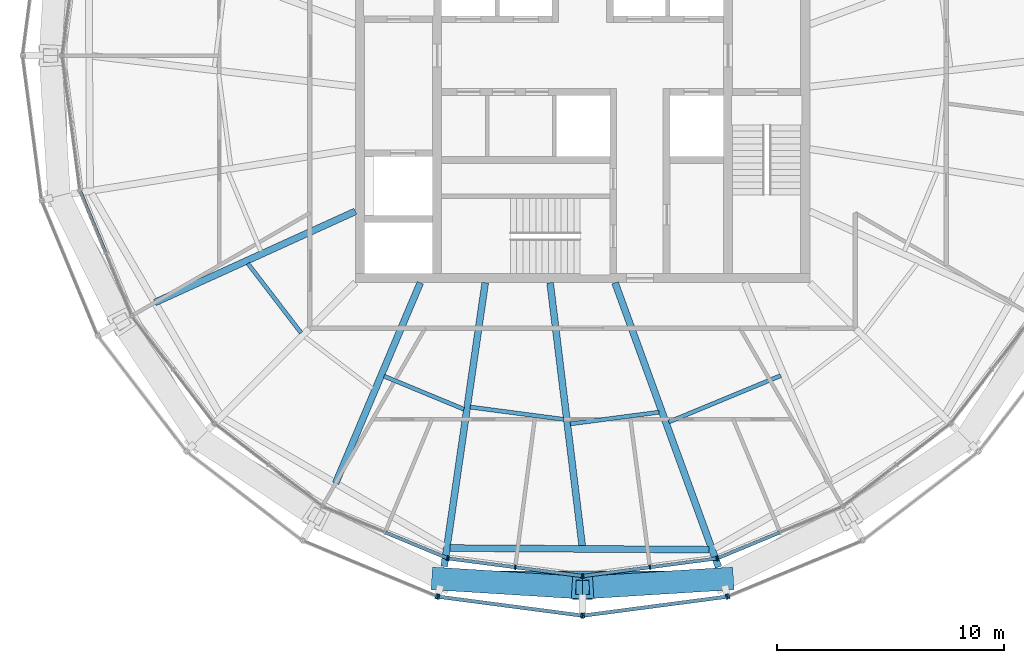
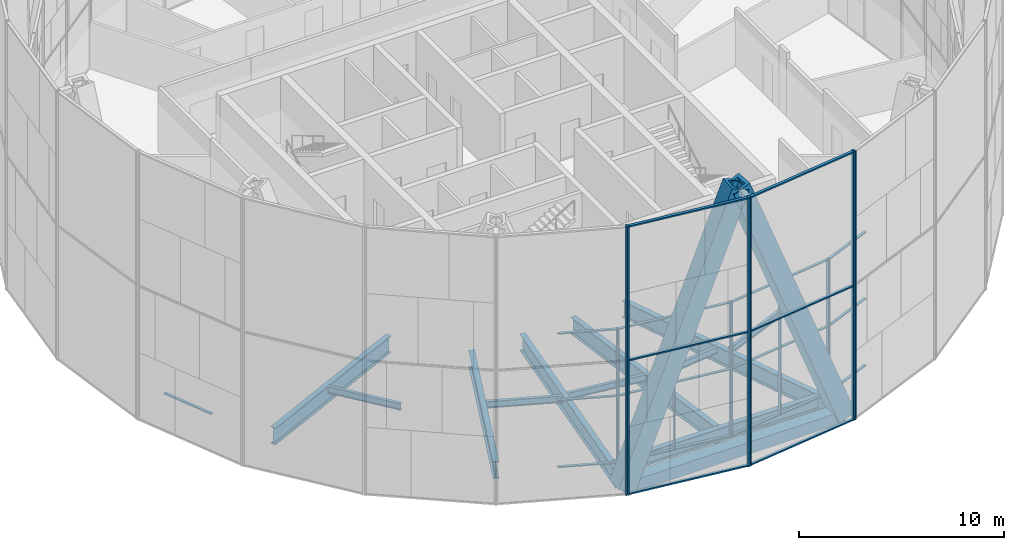
# One storey, part 2 of 23: 41 members, 12 beams, 9 elements without a shape of their own.
"""IFC4 building model written with IfcOpenShell, lengths in metres."""

from ifc_helpers import new_model, si_unit, direction, frame, origin, origin_2d, place, context, subcontext, project, spatial, rectangle, hollow_rectangle, i_section, extrude, material, material_profile, profile_set, type_object, element, aggregate, save


model = new_model("IFC4")

# Units and contexts
model_context = context("Model", 3, precision=1e-05, world=origin(), true_north=direction((0.0, 1.0)))
body_context = subcontext(model_context, "Body", "Model", "MODEL_VIEW")
ifc_project = project(units=[si_unit("LENGTHUNIT", "METRE"), si_unit("AREAUNIT", "SQUARE_METRE"), si_unit("VOLUMEUNIT", "CUBIC_METRE"), si_unit("PLANEANGLEUNIT", "RADIAN"), si_unit("MASSUNIT", "GRAM", prefix="KILO")], contexts=[model_context])

# Site, building, storey
site_placement = place(None, origin())
site = spatial("IfcSite", under=ifc_project, at=site_placement, CompositionType="ELEMENT")
building_placement = place(site_placement, origin())
building = spatial("IfcBuilding", under=site, at=building_placement, Name="Golbaran Civic Tower", CompositionType="ELEMENT")
storey_placement = place(building_placement, frame((0.0, 0.0, 232.0)))
storey = spatial("IfcBuildingStorey", under=building, at=storey_placement, Name="L56", CompositionType="ELEMENT", Elevation=232.0)

# Members
ifc_material_1 = material(Name="Steel S355", Category="steel")
ifc_material_profile_1 = material_profile(ifc_material_1, hollow_rectangle(XDim=1.0, YDim=1.0, WallThickness=0.179931640625, at=origin_2d()), Name="BOX 1000x1000x180")
ifc_profile_set_1 = profile_set([ifc_material_profile_1], Name="Steel S355")
member_type_1 = type_object("IfcMemberType", Name="DIAGRID DIAGONAL BOX 1000x1000x180", PredefinedType="BRACE", material=ifc_profile_set_1)
for number, where, z_axis, x_axis, name in (
    (1, (-6.174072265625, -23.042236328125, -0.7099609375), (0.359917511497, -0.022202195339, 0.932719919075), (0.061569865582, 0.998102776097, 0.0), "Diagonal D13-08R L56-L60"),
    (2, (6.174072265625, -23.042236328125, -0.7099609375), (-0.359917511497, -0.022202195339, 0.932719919075), (0.061569865582, -0.998102776097, 0.0), "Diagonal D13-09L L56-L60"),
):
    element("IfcMember", number, at=place(storey_placement, frame(where, z_axis=z_axis, x_axis=x_axis)), inside=storey, type_object=member_type_1, Name=name, PredefinedType="BRACE", context=body_context, shape_type="SweptSolid", body=[
        extrude(hollow_rectangle(XDim=1.0, YDim=1.0, WallThickness=0.179931640625, at=origin_2d()), origin(), (0.0, 0.0, 1.0), 17.154052734375),
    ])

# Beams
ifc_material_profile_2 = material_profile(ifc_material_1, hollow_rectangle(XDim=0.699951171875, YDim=0.699951171875, WallThickness=0.080078125, at=origin_2d()), Name="BOX 700x700x80")
ifc_profile_set_2 = profile_set([ifc_material_profile_2], Name="Steel S355")
beam_type_1 = type_object("IfcBeamType", Name="DIAGRID RING TIE BOX 700x700x80", PredefinedType="BEAM", material=ifc_profile_set_2)
beam_1_placement = place(storey_placement, frame((-6.174072265625, -23.042236328125, -0.7099609375), z_axis=(1.0, 0.0, 0.0), x_axis=(0.0, 1.0, 0.0)))
element("IfcBeam", 3, at=beam_1_placement, inside=storey, type_object=beam_type_1, Name="Ring tie 255.00 L56", PredefinedType="BEAM", context=body_context, shape_type="SweptSolid", body=[
    extrude(hollow_rectangle(XDim=0.699951171875, YDim=0.699951171875, WallThickness=0.080078125, at=origin_2d()), origin(), (0.0, 0.0, 1.0), 12.34814453125),
])
ifc_material_profile_3 = material_profile(ifc_material_1, i_section(OverallWidth=0.300048828125, OverallDepth=0.800048828125, WebThickness=0.017578125, FlangeThickness=0.032958984375, FilletRadius=0.030029296875, at=origin_2d()), Name="HEB 800")
ifc_profile_set_3 = profile_set([ifc_material_profile_3], Name="Steel S355")
beam_type_2 = type_object("IfcBeamType", Name="EDGE BEAM HEB 800", PredefinedType="BEAM", material=ifc_profile_set_3)
beam_2_placement = place(storey_placement, frame((-5.845458984375, -21.678955078125, -0.60009765625), z_axis=(0.999980352991, -0.006268463307, 0.0), x_axis=(0.006268463307, 0.999980352991, 0.0)))
element("IfcBeam", 4, at=beam_2_placement, inside=storey, type_object=beam_type_2, Name="Edge beam 255.00 L56", PredefinedType="BEAM", context=body_context, shape_type="SweptSolid", body=[
    extrude(i_section(OverallWidth=0.300048828125, OverallDepth=0.800048828125, WebThickness=0.017578125, FlangeThickness=0.032958984375, FilletRadius=0.030029296875, at=origin_2d()), origin(), (0.0, 0.0, 1.0), 11.41162109375),
])
ifc_material_profile_4 = material_profile(ifc_material_1, i_section(OverallWidth=0.179931640625, OverallDepth=0.39990234375, WebThickness=0.008544921875, FlangeThickness=0.013427734375, FilletRadius=0.02099609375, at=origin_2d()), Name="IPE 400")
ifc_profile_set_4 = profile_set([ifc_material_profile_4], Name="Steel S355")
beam_type_3 = type_object("IfcBeamType", Name="FLOOR INFILL BEAM IPE 400", PredefinedType="BEAM", material=ifc_profile_set_4)
beam_3_placement = place(storey_placement, frame((-14.734619140625, -9.152099609375, -0.39990234375), z_axis=(0.608769599383, -0.793347070876, 0.0), x_axis=(0.793347070876, 0.608769599383, 0.0)))
element("IfcBeam", 5, at=beam_3_placement, inside=storey, type_object=beam_type_3, Name="Infill beam 217.50 L56", PredefinedType="BEAM", context=body_context, shape_type="SweptSolid", body=[
    extrude(i_section(OverallWidth=0.179931640625, OverallDepth=0.39990234375, WebThickness=0.008544921875, FlangeThickness=0.013427734375, FilletRadius=0.02099609375, at=origin_2d()), origin(), (0.0, 0.0, 1.0), 3.850341796875),
])
beam_4_placement = place(storey_placement, frame((-8.738037109375, -14.112060546875, -0.39990234375), z_axis=(0.923857260283, -0.382737197856, 0.0), x_axis=(0.382737197856, 0.923857260283, 0.0)))
element("IfcBeam", 6, at=beam_4_placement, inside=storey, type_object=beam_type_3, Name="Infill beam 247.50 L56", PredefinedType="BEAM", context=body_context, shape_type="SweptSolid", body=[
    extrude(i_section(OverallWidth=0.179931640625, OverallDepth=0.39990234375, WebThickness=0.008544921875, FlangeThickness=0.013427734375, FilletRadius=0.02099609375, at=origin_2d()), origin(), (0.0, 0.0, 1.0), 3.80419921875),
])
beam_5_placement = place(storey_placement, frame((-4.94677734375, -15.472412109375, -0.39990234375), z_axis=(0.991445095919, -0.130524410661, 0.0), x_axis=(0.130524410661, 0.991445095919, 0.0)))
element("IfcBeam", 7, at=beam_5_placement, inside=storey, type_object=beam_type_3, Name="Infill beam 262.50 L56", PredefinedType="BEAM", context=body_context, shape_type="SweptSolid", body=[
    extrude(i_section(OverallWidth=0.179931640625, OverallDepth=0.39990234375, WebThickness=0.008544921875, FlangeThickness=0.013427734375, FilletRadius=0.02099609375, at=origin_2d()), origin(), (0.0, 0.0, 1.0), 4.15625),
])
beam_6_placement = place(storey_placement, frame((-0.5400390625, -16.212890625, -0.39990234375), z_axis=(0.99144585179, 0.130518669044, 0.0), x_axis=(-0.130518669044, 0.99144585179, 0.0)))
element("IfcBeam", 8, at=beam_6_placement, inside=storey, type_object=beam_type_3, Name="Infill beam 277.50 L56", PredefinedType="BEAM", context=body_context, shape_type="SweptSolid", body=[
    extrude(i_section(OverallWidth=0.179931640625, OverallDepth=0.39990234375, WebThickness=0.008544921875, FlangeThickness=0.013427734375, FilletRadius=0.02099609375, at=origin_2d()), origin(), (0.0, 0.0, 1.0), 3.9375),
])
beam_7_placement = place(storey_placement, frame((3.797119140625, -16.129150390625, -0.39990234375), z_axis=(0.92387515046, 0.382694011401, 0.0), x_axis=(-0.382694011401, 0.92387515046, 0.0)))
element("IfcBeam", 9, at=beam_7_placement, inside=storey, type_object=beam_type_3, Name="Infill beam 292.50 L56", PredefinedType="BEAM", context=body_context, shape_type="SweptSolid", body=[
    extrude(i_section(OverallWidth=0.179931640625, OverallDepth=0.39990234375, WebThickness=0.008544921875, FlangeThickness=0.013427734375, FilletRadius=0.02099609375, at=origin_2d()), origin(), (0.0, 0.0, 1.0), 5.33447265625),
])

# Curtain wall, member
ifc_material_2 = material(Name="Aluminium and glass", Category="aluminium")
curtain_wall_type_1 = type_object("IfcCurtainWallType", Name="INNER SKIN CURTAIN WALL EXECUTIVE", PredefinedType="NOTDEFINED", material=ifc_material_2)
curtain_wall_1_placement = place(storey_placement, origin())
curtain_wall_1 = element("IfcCurtainWall", 10, at=curtain_wall_1_placement, inside=storey, type_object=curtain_wall_type_1, Name="Inner skin L56 facet 17 CW2", ObjectType="INNER SKIN", PredefinedType="USERDEFINED")
ifc_material_3 = material(Name="Aluminium", Category="aluminium")
ifc_material_profile_5 = material_profile(ifc_material_3, rectangle(XDim=0.199951171875, YDim=0.06005859375, at=origin_2d()), Name="INNER SKIN CURTAIN WALL EXECUTIVE MULLION")
ifc_profile_set_5 = profile_set([ifc_material_profile_5], Name="Aluminium")
member_type_2 = type_object("IfcMemberType", Name="INNER SKIN CURTAIN WALL EXECUTIVE MULLION", PredefinedType="MULLION", material=ifc_profile_set_5)
member_1_placement = place(storey_placement, frame((-5.9580078125, -22.120849609375, 0.0), z_axis=(0.0, 0.0, 1.0), x_axis=(0.382683432365, 0.923879532511, 0.0)))
member_1 = element("IfcMember", 11, at=member_1_placement, type_object=member_type_2, Name="CW2 mullion 3", PredefinedType="MULLION", context=body_context, shape_type="SweptSolid", body=[
    extrude(rectangle(XDim=0.199951171875, YDim=0.06005859375, at=origin_2d()), origin(), (0.0, 0.0, 1.0), 8.0),
])

# Curtain wall, members
curtain_wall_2_placement = place(storey_placement, origin())
curtain_wall_2 = element("IfcCurtainWall", 12, at=curtain_wall_2_placement, inside=storey, type_object=curtain_wall_type_1, Name="Inner skin L56 facet 18 CW2", ObjectType="INNER SKIN", PredefinedType="USERDEFINED")
member_2_placement = place(storey_placement, frame((-5.900634765625, -22.13623046875, 0.0), z_axis=(0.0, 0.0, 1.0), x_axis=(0.130526192185, 0.991444861378, 0.0)))
member_2 = element("IfcMember", 13, at=member_2_placement, type_object=member_type_2, Name="CW2 mullion 1", PredefinedType="MULLION", context=body_context, shape_type="SweptSolid", body=[
    extrude(rectangle(XDim=0.199951171875, YDim=0.06005859375, at=origin_2d()), origin(), (0.0, 0.0, 1.0), 8.0),
])
member_3_placement = place(storey_placement, frame((-2.965087890625, -22.522705078125, 0.0), z_axis=(0.0, 0.0, 1.0), x_axis=(0.130526192185, 0.991444861378, 0.0)))
member_3 = element("IfcMember", 14, at=member_3_placement, type_object=member_type_2, Name="CW2 mullion 2", PredefinedType="MULLION", context=body_context, shape_type="SweptSolid", body=[
    extrude(rectangle(XDim=0.199951171875, YDim=0.06005859375, at=origin_2d()), origin(), (0.0, 0.0, 1.0), 8.0),
])
member_4_placement = place(storey_placement, frame((-0.02978515625, -22.9091796875, 0.0), z_axis=(0.0, 0.0, 1.0), x_axis=(0.130526192185, 0.991444861378, 0.0)))
member_4 = element("IfcMember", 15, at=member_4_placement, type_object=member_type_2, Name="CW2 mullion 3", PredefinedType="MULLION", context=body_context, shape_type="SweptSolid", body=[
    extrude(rectangle(XDim=0.199951171875, YDim=0.06005859375, at=origin_2d()), origin(), (0.0, 0.0, 1.0), 8.0),
])

curtain_wall_3_placement = place(storey_placement, origin())
curtain_wall_3 = element("IfcCurtainWall", 16, at=curtain_wall_3_placement, inside=storey, type_object=curtain_wall_type_1, Name="Inner skin L56 facet 19 CW2", ObjectType="INNER SKIN", PredefinedType="USERDEFINED")
member_5_placement = place(storey_placement, frame((0.02978515625, -22.9091796875, 0.0), z_axis=(0.0, 0.0, 1.0), x_axis=(-0.130526192185, 0.991444861378, 0.0)))
member_5 = element("IfcMember", 17, at=member_5_placement, type_object=member_type_2, Name="CW2 mullion 1", PredefinedType="MULLION", context=body_context, shape_type="SweptSolid", body=[
    extrude(rectangle(XDim=0.199951171875, YDim=0.06005859375, at=origin_2d()), origin(), (0.0, 0.0, 1.0), 8.0),
])
member_6_placement = place(storey_placement, frame((2.965087890625, -22.522705078125, 0.0), z_axis=(0.0, 0.0, 1.0), x_axis=(-0.130526192185, 0.991444861378, 0.0)))
member_6 = element("IfcMember", 18, at=member_6_placement, type_object=member_type_2, Name="CW2 mullion 2", PredefinedType="MULLION", context=body_context, shape_type="SweptSolid", body=[
    extrude(rectangle(XDim=0.199951171875, YDim=0.06005859375, at=origin_2d()), origin(), (0.0, 0.0, 1.0), 8.0),
])
member_7_placement = place(storey_placement, frame((5.900634765625, -22.13623046875, 0.0), z_axis=(0.0, 0.0, 1.0), x_axis=(-0.130526192185, 0.991444861378, 0.0)))
member_7 = element("IfcMember", 19, at=member_7_placement, type_object=member_type_2, Name="CW2 mullion 3", PredefinedType="MULLION", context=body_context, shape_type="SweptSolid", body=[
    extrude(rectangle(XDim=0.199951171875, YDim=0.06005859375, at=origin_2d()), origin(), (0.0, 0.0, 1.0), 8.0),
])

# Curtain wall, member
curtain_wall_4_placement = place(storey_placement, origin())
curtain_wall_4 = element("IfcCurtainWall", 20, at=curtain_wall_4_placement, inside=storey, type_object=curtain_wall_type_1, Name="Inner skin L56 facet 20 CW2", ObjectType="INNER SKIN", PredefinedType="USERDEFINED")
member_8_placement = place(storey_placement, frame((5.9580078125, -22.120849609375, 0.0), z_axis=(0.0, 0.0, 1.0), x_axis=(-0.382683432365, 0.923879532511, 0.0)))
member_8 = element("IfcMember", 21, at=member_8_placement, type_object=member_type_2, Name="CW2 mullion 1", PredefinedType="MULLION", context=body_context, shape_type="SweptSolid", body=[
    extrude(rectangle(XDim=0.199951171875, YDim=0.06005859375, at=origin_2d()), origin(), (0.0, 0.0, 1.0), 8.0),
])

curtain_wall_5_placement = place(storey_placement, origin())
curtain_wall_5 = element("IfcCurtainWall", 22, at=curtain_wall_5_placement, inside=storey, type_object=curtain_wall_type_1, Name="Inner skin L56 facet 14 CW2", ObjectType="INNER SKIN", PredefinedType="USERDEFINED")
ifc_material_profile_6 = material_profile(ifc_material_3, rectangle(XDim=0.14990234375, YDim=0.06005859375, at=origin_2d()), Name="INNER SKIN CURTAIN WALL EXECUTIVE TRANSOM")
ifc_profile_set_6 = profile_set([ifc_material_profile_6], Name="Aluminium")
member_type_3 = type_object("IfcMemberType", Name="INNER SKIN CURTAIN WALL EXECUTIVE TRANSOM", PredefinedType="USERDEFINED", material=ifc_profile_set_6)
member_9_placement = place(storey_placement, frame((-22.109375, -5.98583984375, 0.030029296875), z_axis=(0.382696199963, -0.923874243896, 0.0), x_axis=(0.923874243896, 0.382696199963, 0.0)))
member_9 = element("IfcMember", 23, at=member_9_placement, type_object=member_type_3, Name="CW2 transom 1.1", ObjectType="TRANSOM", PredefinedType="USERDEFINED", context=body_context, shape_type="SweptSolid", body=[
    extrude(rectangle(XDim=0.14990234375, YDim=0.06005859375, at=origin_2d()), origin(), (0.0, 0.0, 1.0), 2.900634765625),
])
aggregate(curtain_wall_5, [member_9])

# Member
member_10_placement = place(storey_placement, frame((-8.665771484375, -20.999267578125, 0.030029296875), z_axis=(0.923874243896, -0.382696199963, 0.0), x_axis=(0.382696199963, 0.923874243896, 0.0)))
member_10 = element("IfcMember", 24, at=member_10_placement, type_object=member_type_3, Name="CW2 transom 2.1", ObjectType="TRANSOM", PredefinedType="USERDEFINED", context=body_context, shape_type="SweptSolid", body=[
    extrude(rectangle(XDim=0.14990234375, YDim=0.06005859375, at=origin_2d()), origin(), (0.0, 0.0, 1.0), 2.900634765625),
])

member_11_placement = place(storey_placement, frame((-8.665771484375, -20.999267578125, 4.0), z_axis=(0.923874243896, -0.382696199963, 0.0), x_axis=(0.382696199963, 0.923874243896, 0.0)))
member_11 = element("IfcMember", 25, at=member_11_placement, type_object=member_type_3, Name="CW2 transom 2.2", ObjectType="TRANSOM", PredefinedType="USERDEFINED", context=body_context, shape_type="SweptSolid", body=[
    extrude(rectangle(XDim=0.14990234375, YDim=0.06005859375, at=origin_2d()), origin(), (0.0, 0.0, 1.0), 2.900634765625),
])

member_12_placement = place(storey_placement, frame((-8.665771484375, -20.999267578125, 7.969970703125), z_axis=(0.923874243896, -0.382696199963, 0.0), x_axis=(0.382696199963, 0.923874243896, 0.0)))
member_12 = element("IfcMember", 26, at=member_12_placement, type_object=member_type_3, Name="CW2 transom 2.3", ObjectType="TRANSOM", PredefinedType="USERDEFINED", context=body_context, shape_type="SweptSolid", body=[
    extrude(rectangle(XDim=0.14990234375, YDim=0.06005859375, at=origin_2d()), origin(), (0.0, 0.0, 1.0), 2.900634765625),
])

aggregate(curtain_wall_1, [member_1, member_10, member_11, member_12])

member_13_placement = place(storey_placement, frame((-5.870849609375, -22.14013671875, 0.030029296875), z_axis=(0.991443406439, -0.130537243072, 0.0), x_axis=(0.130537243072, 0.991443406439, 0.0)))
member_13 = element("IfcMember", 27, at=member_13_placement, type_object=member_type_3, Name="CW2 transom 1.1", ObjectType="TRANSOM", PredefinedType="USERDEFINED", context=body_context, shape_type="SweptSolid", body=[
    extrude(rectangle(XDim=0.14990234375, YDim=0.06005859375, at=origin_2d()), origin(), (0.0, 0.0, 1.0), 2.90087890625),
])

member_14_placement = place(storey_placement, frame((-5.870849609375, -22.14013671875, 4.0), z_axis=(0.991443406439, -0.130537243072, 0.0), x_axis=(0.130537243072, 0.991443406439, 0.0)))
member_14 = element("IfcMember", 28, at=member_14_placement, type_object=member_type_3, Name="CW2 transom 1.2", ObjectType="TRANSOM", PredefinedType="USERDEFINED", context=body_context, shape_type="SweptSolid", body=[
    extrude(rectangle(XDim=0.14990234375, YDim=0.06005859375, at=origin_2d()), origin(), (0.0, 0.0, 1.0), 2.90087890625),
])

member_15_placement = place(storey_placement, frame((-5.870849609375, -22.14013671875, 7.969970703125), z_axis=(0.991443406439, -0.130537243072, 0.0), x_axis=(0.130537243072, 0.991443406439, 0.0)))
member_15 = element("IfcMember", 29, at=member_15_placement, type_object=member_type_3, Name="CW2 transom 1.3", ObjectType="TRANSOM", PredefinedType="USERDEFINED", context=body_context, shape_type="SweptSolid", body=[
    extrude(rectangle(XDim=0.14990234375, YDim=0.06005859375, at=origin_2d()), origin(), (0.0, 0.0, 1.0), 2.90087890625),
])

member_16_placement = place(storey_placement, frame((-2.935302734375, -22.526611328125, 0.030029296875), z_axis=(0.99144197212, -0.130548136409, 0.0), x_axis=(0.130548136409, 0.99144197212, 0.0)))
member_16 = element("IfcMember", 30, at=member_16_placement, type_object=member_type_3, Name="CW2 transom 2.1", ObjectType="TRANSOM", PredefinedType="USERDEFINED", context=body_context, shape_type="SweptSolid", body=[
    extrude(rectangle(XDim=0.14990234375, YDim=0.06005859375, at=origin_2d()), origin(), (0.0, 0.0, 1.0), 2.900634765625),
])

member_17_placement = place(storey_placement, frame((-2.935302734375, -22.526611328125, 4.0), z_axis=(0.99144197212, -0.130548136409, 0.0), x_axis=(0.130548136409, 0.99144197212, 0.0)))
member_17 = element("IfcMember", 31, at=member_17_placement, type_object=member_type_3, Name="CW2 transom 2.2", ObjectType="TRANSOM", PredefinedType="USERDEFINED", context=body_context, shape_type="SweptSolid", body=[
    extrude(rectangle(XDim=0.14990234375, YDim=0.06005859375, at=origin_2d()), origin(), (0.0, 0.0, 1.0), 2.900634765625),
])

member_18_placement = place(storey_placement, frame((-2.935302734375, -22.526611328125, 7.969970703125), z_axis=(0.99144197212, -0.130548136409, 0.0), x_axis=(0.130548136409, 0.99144197212, 0.0)))
member_18 = element("IfcMember", 32, at=member_18_placement, type_object=member_type_3, Name="CW2 transom 2.3", ObjectType="TRANSOM", PredefinedType="USERDEFINED", context=body_context, shape_type="SweptSolid", body=[
    extrude(rectangle(XDim=0.14990234375, YDim=0.06005859375, at=origin_2d()), origin(), (0.0, 0.0, 1.0), 2.900634765625),
])

aggregate(curtain_wall_2, [member_2, member_3, member_4, member_13, member_14, member_15, member_16, member_17, member_18])

member_19_placement = place(storey_placement, frame((0.0595703125, -22.9052734375, 0.030029296875), z_axis=(0.99144197212, 0.130548136409, 0.0), x_axis=(-0.130548136409, 0.99144197212, 0.0)))
member_19 = element("IfcMember", 33, at=member_19_placement, type_object=member_type_3, Name="CW2 transom 1.1", ObjectType="TRANSOM", PredefinedType="USERDEFINED", context=body_context, shape_type="SweptSolid", body=[
    extrude(rectangle(XDim=0.14990234375, YDim=0.06005859375, at=origin_2d()), origin(), (0.0, 0.0, 1.0), 2.900634765625),
])

member_20_placement = place(storey_placement, frame((0.0595703125, -22.9052734375, 4.0), z_axis=(0.99144197212, 0.130548136409, 0.0), x_axis=(-0.130548136409, 0.99144197212, 0.0)))
member_20 = element("IfcMember", 34, at=member_20_placement, type_object=member_type_3, Name="CW2 transom 1.2", ObjectType="TRANSOM", PredefinedType="USERDEFINED", context=body_context, shape_type="SweptSolid", body=[
    extrude(rectangle(XDim=0.14990234375, YDim=0.06005859375, at=origin_2d()), origin(), (0.0, 0.0, 1.0), 2.900634765625),
])

member_21_placement = place(storey_placement, frame((0.0595703125, -22.9052734375, 7.969970703125), z_axis=(0.99144197212, 0.130548136409, 0.0), x_axis=(-0.130548136409, 0.99144197212, 0.0)))
member_21 = element("IfcMember", 35, at=member_21_placement, type_object=member_type_3, Name="CW2 transom 1.3", ObjectType="TRANSOM", PredefinedType="USERDEFINED", context=body_context, shape_type="SweptSolid", body=[
    extrude(rectangle(XDim=0.14990234375, YDim=0.06005859375, at=origin_2d()), origin(), (0.0, 0.0, 1.0), 2.900634765625),
])

member_22_placement = place(storey_placement, frame((2.994873046875, -22.518798828125, 0.030029296875), z_axis=(0.991443406439, 0.130537243072, 0.0), x_axis=(-0.130537243072, 0.991443406439, 0.0)))
member_22 = element("IfcMember", 36, at=member_22_placement, type_object=member_type_3, Name="CW2 transom 2.1", ObjectType="TRANSOM", PredefinedType="USERDEFINED", context=body_context, shape_type="SweptSolid", body=[
    extrude(rectangle(XDim=0.14990234375, YDim=0.06005859375, at=origin_2d()), origin(), (0.0, 0.0, 1.0), 2.90087890625),
])

member_23_placement = place(storey_placement, frame((2.994873046875, -22.518798828125, 4.0), z_axis=(0.991443406439, 0.130537243072, 0.0), x_axis=(-0.130537243072, 0.991443406439, 0.0)))
member_23 = element("IfcMember", 37, at=member_23_placement, type_object=member_type_3, Name="CW2 transom 2.2", ObjectType="TRANSOM", PredefinedType="USERDEFINED", context=body_context, shape_type="SweptSolid", body=[
    extrude(rectangle(XDim=0.14990234375, YDim=0.06005859375, at=origin_2d()), origin(), (0.0, 0.0, 1.0), 2.90087890625),
])

member_24_placement = place(storey_placement, frame((2.994873046875, -22.518798828125, 7.969970703125), z_axis=(0.991443406439, 0.130537243072, 0.0), x_axis=(-0.130537243072, 0.991443406439, 0.0)))
member_24 = element("IfcMember", 38, at=member_24_placement, type_object=member_type_3, Name="CW2 transom 2.3", ObjectType="TRANSOM", PredefinedType="USERDEFINED", context=body_context, shape_type="SweptSolid", body=[
    extrude(rectangle(XDim=0.14990234375, YDim=0.06005859375, at=origin_2d()), origin(), (0.0, 0.0, 1.0), 2.90087890625),
])

aggregate(curtain_wall_3, [member_5, member_6, member_7, member_19, member_20, member_21, member_22, member_23, member_24])

member_25_placement = place(storey_placement, frame((5.98583984375, -22.109375, 0.030029296875), z_axis=(0.923874243896, 0.382696199963, 0.0), x_axis=(-0.382696199963, 0.923874243896, 0.0)))
member_25 = element("IfcMember", 39, at=member_25_placement, type_object=member_type_3, Name="CW2 transom 1.1", ObjectType="TRANSOM", PredefinedType="USERDEFINED", context=body_context, shape_type="SweptSolid", body=[
    extrude(rectangle(XDim=0.14990234375, YDim=0.06005859375, at=origin_2d()), origin(), (0.0, 0.0, 1.0), 2.900634765625),
])

member_26_placement = place(storey_placement, frame((5.98583984375, -22.109375, 4.0), z_axis=(0.923874243896, 0.382696199963, 0.0), x_axis=(-0.382696199963, 0.923874243896, 0.0)))
member_26 = element("IfcMember", 40, at=member_26_placement, type_object=member_type_3, Name="CW2 transom 1.2", ObjectType="TRANSOM", PredefinedType="USERDEFINED", context=body_context, shape_type="SweptSolid", body=[
    extrude(rectangle(XDim=0.14990234375, YDim=0.06005859375, at=origin_2d()), origin(), (0.0, 0.0, 1.0), 2.900634765625),
])

member_27_placement = place(storey_placement, frame((5.98583984375, -22.109375, 7.969970703125), z_axis=(0.923874243896, 0.382696199963, 0.0), x_axis=(-0.382696199963, 0.923874243896, 0.0)))
member_27 = element("IfcMember", 41, at=member_27_placement, type_object=member_type_3, Name="CW2 transom 1.3", ObjectType="TRANSOM", PredefinedType="USERDEFINED", context=body_context, shape_type="SweptSolid", body=[
    extrude(rectangle(XDim=0.14990234375, YDim=0.06005859375, at=origin_2d()), origin(), (0.0, 0.0, 1.0), 2.900634765625),
])

aggregate(curtain_wall_4, [member_8, member_25, member_26, member_27])

# Curtain wall, member
curtain_wall_type_2 = type_object("IfcCurtainWallType", Name="OUTER SKIN TERRACOTTA SCREEN", PredefinedType="NOTDEFINED", material=ifc_material_2)
curtain_wall_6_placement = place(storey_placement, origin())
curtain_wall_6 = element("IfcCurtainWall", 42, at=curtain_wall_6_placement, inside=storey, type_object=curtain_wall_type_2, Name="Outer skin L56 facet 17 CW3", ObjectType="OUTER SKIN", PredefinedType="USERDEFINED")
ifc_material_profile_7 = material_profile(ifc_material_3, rectangle(XDim=0.219970703125, YDim=0.080078125, at=origin_2d()), Name="OUTER SKIN TERRACOTTA SCREEN MULLION")
ifc_profile_set_7 = profile_set([ifc_material_profile_7], Name="Aluminium")
member_type_4 = type_object("IfcMemberType", Name="OUTER SKIN TERRACOTTA SCREEN MULLION", PredefinedType="MULLION", material=ifc_profile_set_7)
member_28_placement = place(storey_placement, frame((-6.418212890625, -23.799560546875, -0.7099609375), z_axis=(0.0, 0.0, 1.0), x_axis=(0.382683432381, 0.923879532505, 0.0)))
member_28 = element("IfcMember", 43, at=member_28_placement, type_object=member_type_4, Name="CW3 mullion 2", PredefinedType="MULLION", context=body_context, shape_type="SweptSolid", body=[
    extrude(rectangle(XDim=0.219970703125, YDim=0.080078125, at=origin_2d()), origin(), (0.0, 0.0, 1.0), 16.0),
])
aggregate(curtain_wall_6, [member_28])

# Curtain wall, members
curtain_wall_7_placement = place(storey_placement, origin())
curtain_wall_7 = element("IfcCurtainWall", 44, at=curtain_wall_7_placement, inside=storey, type_object=curtain_wall_type_2, Name="Outer skin L56 facet 18 CW3", ObjectType="OUTER SKIN", PredefinedType="USERDEFINED")
member_29_placement = place(storey_placement, frame((-6.341552734375, -23.820068359375, -0.7099609375), z_axis=(0.0, 0.0, 1.0), x_axis=(0.130526192237, 0.991444861372, 0.0)))
member_29 = element("IfcMember", 45, at=member_29_placement, type_object=member_type_4, Name="CW3 mullion 1", PredefinedType="MULLION", context=body_context, shape_type="SweptSolid", body=[
    extrude(rectangle(XDim=0.219970703125, YDim=0.080078125, at=origin_2d()), origin(), (0.0, 0.0, 1.0), 16.0),
])
member_30_placement = place(storey_placement, frame((-0.03955078125, -24.649658203125, -0.7099609375), z_axis=(0.0, 0.0, 1.0), x_axis=(0.130526192237, 0.991444861372, 0.0)))
member_30 = element("IfcMember", 46, at=member_30_placement, type_object=member_type_4, Name="CW3 mullion 2", PredefinedType="MULLION", context=body_context, shape_type="SweptSolid", body=[
    extrude(rectangle(XDim=0.219970703125, YDim=0.080078125, at=origin_2d()), origin(), (0.0, 0.0, 1.0), 16.0),
])

curtain_wall_8_placement = place(storey_placement, origin())
curtain_wall_8 = element("IfcCurtainWall", 47, at=curtain_wall_8_placement, inside=storey, type_object=curtain_wall_type_2, Name="Outer skin L56 facet 19 CW3", ObjectType="OUTER SKIN", PredefinedType="USERDEFINED")
member_31_placement = place(storey_placement, frame((0.03955078125, -24.649658203125, -0.7099609375), z_axis=(0.0, 0.0, 1.0), x_axis=(-0.130526192237, 0.991444861372, 0.0)))
member_31 = element("IfcMember", 48, at=member_31_placement, type_object=member_type_4, Name="CW3 mullion 1", PredefinedType="MULLION", context=body_context, shape_type="SweptSolid", body=[
    extrude(rectangle(XDim=0.219970703125, YDim=0.080078125, at=origin_2d()), origin(), (0.0, 0.0, 1.0), 16.0),
])
member_32_placement = place(storey_placement, frame((6.341552734375, -23.820068359375, -0.7099609375), z_axis=(0.0, 0.0, 1.0), x_axis=(-0.130526192237, 0.991444861372, 0.0)))
member_32 = element("IfcMember", 49, at=member_32_placement, type_object=member_type_4, Name="CW3 mullion 2", PredefinedType="MULLION", context=body_context, shape_type="SweptSolid", body=[
    extrude(rectangle(XDim=0.219970703125, YDim=0.080078125, at=origin_2d()), origin(), (0.0, 0.0, 1.0), 16.0),
])

# Curtain wall, member
curtain_wall_9_placement = place(storey_placement, origin())
curtain_wall_9 = element("IfcCurtainWall", 50, at=curtain_wall_9_placement, inside=storey, type_object=curtain_wall_type_2, Name="Outer skin L56 facet 20 CW3", ObjectType="OUTER SKIN", PredefinedType="USERDEFINED")
member_33_placement = place(storey_placement, frame((6.418212890625, -23.799560546875, -0.7099609375), z_axis=(0.0, 0.0, 1.0), x_axis=(-0.382683432381, 0.923879532505, 0.0)))
member_33 = element("IfcMember", 51, at=member_33_placement, type_object=member_type_4, Name="CW3 mullion 1", PredefinedType="MULLION", context=body_context, shape_type="SweptSolid", body=[
    extrude(rectangle(XDim=0.219970703125, YDim=0.080078125, at=origin_2d()), origin(), (0.0, 0.0, 1.0), 16.0),
])
aggregate(curtain_wall_9, [member_33])

# Member
ifc_material_profile_8 = material_profile(ifc_material_3, rectangle(XDim=0.159912109375, YDim=0.080078125, at=origin_2d()), Name="OUTER SKIN TERRACOTTA SCREEN TRANSOM")
ifc_profile_set_8 = profile_set([ifc_material_profile_8], Name="Aluminium")
member_type_5 = type_object("IfcMemberType", Name="OUTER SKIN TERRACOTTA SCREEN TRANSOM", PredefinedType="USERDEFINED", material=ifc_profile_set_8)
member_34_placement = place(storey_placement, frame((-6.3017578125, -23.825439453125, -0.669921875), z_axis=(0.991447011813, -0.130509856972, 0.0), x_axis=(0.130509856972, 0.991447011813, 0.0)))
member_34 = element("IfcMember", 52, at=member_34_placement, type_object=member_type_5, Name="CW3 transom 1.1", ObjectType="TRANSOM", PredefinedType="USERDEFINED", context=body_context, shape_type="SweptSolid", body=[
    extrude(rectangle(XDim=0.159912109375, YDim=0.080078125, at=origin_2d()), origin(), (0.0, 0.0, 1.0), 6.276123046875),
])

member_35_placement = place(storey_placement, frame((-6.3017578125, -23.825439453125, 7.2900390625), z_axis=(0.991447011813, -0.130509856972, 0.0), x_axis=(0.130509856972, 0.991447011813, 0.0)))
member_35 = element("IfcMember", 53, at=member_35_placement, type_object=member_type_5, Name="CW3 transom 1.2", ObjectType="TRANSOM", PredefinedType="USERDEFINED", context=body_context, shape_type="SweptSolid", body=[
    extrude(rectangle(XDim=0.159912109375, YDim=0.080078125, at=origin_2d()), origin(), (0.0, 0.0, 1.0), 6.276123046875),
])

member_36_placement = place(storey_placement, frame((-6.3017578125, -23.825439453125, 15.25), z_axis=(0.991447011813, -0.130509856972, 0.0), x_axis=(0.130509856972, 0.991447011813, 0.0)))
member_36 = element("IfcMember", 54, at=member_36_placement, type_object=member_type_5, Name="CW3 transom 1.3", ObjectType="TRANSOM", PredefinedType="USERDEFINED", context=body_context, shape_type="SweptSolid", body=[
    extrude(rectangle(XDim=0.159912109375, YDim=0.080078125, at=origin_2d()), origin(), (0.0, 0.0, 1.0), 6.276123046875),
])

aggregate(curtain_wall_7, [member_29, member_30, member_34, member_35, member_36])

member_37_placement = place(storey_placement, frame((0.079345703125, -24.64453125, -0.669921875), z_axis=(0.991447011813, 0.130509856972, 0.0), x_axis=(-0.130509856972, 0.991447011813, 0.0)))
member_37 = element("IfcMember", 55, at=member_37_placement, type_object=member_type_5, Name="CW3 transom 1.1", ObjectType="TRANSOM", PredefinedType="USERDEFINED", context=body_context, shape_type="SweptSolid", body=[
    extrude(rectangle(XDim=0.159912109375, YDim=0.080078125, at=origin_2d()), origin(), (0.0, 0.0, 1.0), 6.276123046875),
])

member_38_placement = place(storey_placement, frame((0.079345703125, -24.64453125, 7.2900390625), z_axis=(0.991447011813, 0.130509856972, 0.0), x_axis=(-0.130509856972, 0.991447011813, 0.0)))
member_38 = element("IfcMember", 56, at=member_38_placement, type_object=member_type_5, Name="CW3 transom 1.2", ObjectType="TRANSOM", PredefinedType="USERDEFINED", context=body_context, shape_type="SweptSolid", body=[
    extrude(rectangle(XDim=0.159912109375, YDim=0.080078125, at=origin_2d()), origin(), (0.0, 0.0, 1.0), 6.276123046875),
])

member_39_placement = place(storey_placement, frame((0.079345703125, -24.64453125, 15.25), z_axis=(0.991447011813, 0.130509856972, 0.0), x_axis=(-0.130509856972, 0.991447011813, 0.0)))
member_39 = element("IfcMember", 57, at=member_39_placement, type_object=member_type_5, Name="CW3 transom 1.3", ObjectType="TRANSOM", PredefinedType="USERDEFINED", context=body_context, shape_type="SweptSolid", body=[
    extrude(rectangle(XDim=0.159912109375, YDim=0.080078125, at=origin_2d()), origin(), (0.0, 0.0, 1.0), 6.276123046875),
])

aggregate(curtain_wall_8, [member_31, member_32, member_37, member_38, member_39])

# Beams
ifc_material_profile_9 = material_profile(ifc_material_1, i_section(OverallWidth=0.300048828125, OverallDepth=1.0, WebThickness=0.01904296875, FlangeThickness=0.035888671875, FilletRadius=0.030029296875, at=origin_2d()), Name="HEB 1000")
ifc_profile_set_9 = profile_set([ifc_material_profile_9], Name="Steel S355")
beam_type_4 = type_object("IfcBeamType", Name="RADIAL FLOOR BEAM HEB 1000", PredefinedType="BEAM", material=ifc_profile_set_9)
beam_8_placement = place(storey_placement, frame((-4.28564453125, -10.0, -0.7099609375), z_axis=(-0.14330905608, -0.989677985228, 0.0), x_axis=(0.989677985228, -0.14330905608, 0.0)))
element("IfcBeam", 58, at=beam_8_placement, inside=storey, type_object=beam_type_4, Name="Radial beam 255.00 L56", PredefinedType="BEAM", context=body_context, shape_type="SweptSolid", body=[
    extrude(i_section(OverallWidth=0.300048828125, OverallDepth=1.0, WebThickness=0.01904296875, FlangeThickness=0.035888671875, FilletRadius=0.030029296875, at=origin_2d()), origin(), (0.0, 0.0, 1.0), 12.618408203125),
])
beam_9_placement = place(storey_placement, frame((1.428466796875, -10.0, -0.7099609375), z_axis=(0.341944641111, -0.93972009791, 0.0), x_axis=(0.93972009791, 0.341944641111, 0.0)))
element("IfcBeam", 59, at=beam_9_placement, inside=storey, type_object=beam_type_4, Name="Radial beam 285.00 L56", PredefinedType="BEAM", context=body_context, shape_type="SweptSolid", body=[
    extrude(i_section(OverallWidth=0.300048828125, OverallDepth=1.0, WebThickness=0.01904296875, FlangeThickness=0.035888671875, FilletRadius=0.030029296875, at=origin_2d()), origin(), (0.0, 0.0, 1.0), 13.322021484375),
])
ifc_material_profile_10 = material_profile(ifc_material_1, i_section(OverallWidth=0.300048828125, OverallDepth=1.0, WebThickness=0.01904296875, FlangeThickness=0.035888671875, FilletRadius=0.030029296875, at=origin_2d()), Name="HEB 1000")
ifc_profile_set_10 = profile_set([ifc_material_profile_10], Name="Steel S355")
beam_type_5 = type_object("IfcBeamType", Name="SECONDARY FLOOR BEAM HEB 1000", PredefinedType="BEAM", material=ifc_profile_set_10)
beam_10_placement = place(storey_placement, frame((-10.0, -6.857177734375, -0.7099609375), z_axis=(-0.910357854215, -0.413821914922, 0.0), x_axis=(0.413821914922, -0.910357854215, 0.0)))
element("IfcBeam", 60, at=beam_10_placement, inside=storey, type_object=beam_type_5, Name="Secondary beam 210.00 L56", PredefinedType="BEAM", context=body_context, shape_type="SweptSolid", body=[
    extrude(i_section(OverallWidth=0.300048828125, OverallDepth=1.0, WebThickness=0.01904296875, FlangeThickness=0.035888671875, FilletRadius=0.030029296875, at=origin_2d()), origin(), (0.0, 0.0, 1.0), 9.696044921875),
])
beam_11_placement = place(storey_placement, frame((-7.142822265625, -10.0, -0.7099609375), z_axis=(-0.388997500839, -0.921238809615, 0.0), x_axis=(0.921238809615, -0.388997500839, 0.0)))
element("IfcBeam", 61, at=beam_11_placement, inside=storey, type_object=beam_type_5, Name="Secondary beam 240.00 L56", PredefinedType="BEAM", context=body_context, shape_type="SweptSolid", body=[
    extrude(i_section(OverallWidth=0.300048828125, OverallDepth=1.0, WebThickness=0.01904296875, FlangeThickness=0.035888671875, FilletRadius=0.030029296875, at=origin_2d()), origin(), (0.0, 0.0, 1.0), 9.583740234375),
])
beam_12_placement = place(storey_placement, frame((-1.428466796875, -10.0, -0.7099609375), z_axis=(0.121032501221, -0.992648544878, 0.0), x_axis=(0.992648544878, 0.121032501221, 0.0)))
element("IfcBeam", 62, at=beam_12_placement, inside=storey, type_object=beam_type_5, Name="Secondary beam 270.00 L56", PredefinedType="BEAM", context=body_context, shape_type="SweptSolid", body=[
    extrude(i_section(OverallWidth=0.300048828125, OverallDepth=1.0, WebThickness=0.01904296875, FlangeThickness=0.035888671875, FilletRadius=0.030029296875, at=origin_2d()), origin(), (0.0, 0.0, 1.0), 11.80224609375),
])

save(model, "model.ifc")
